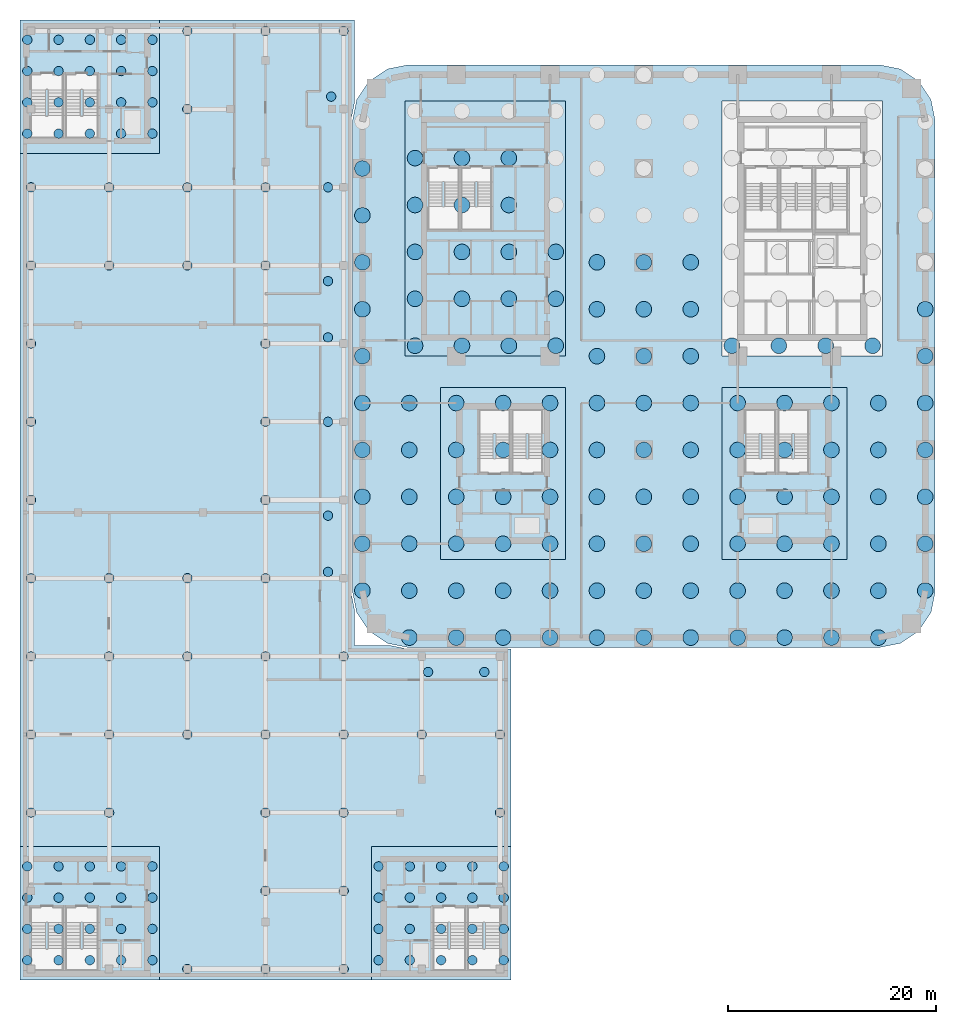
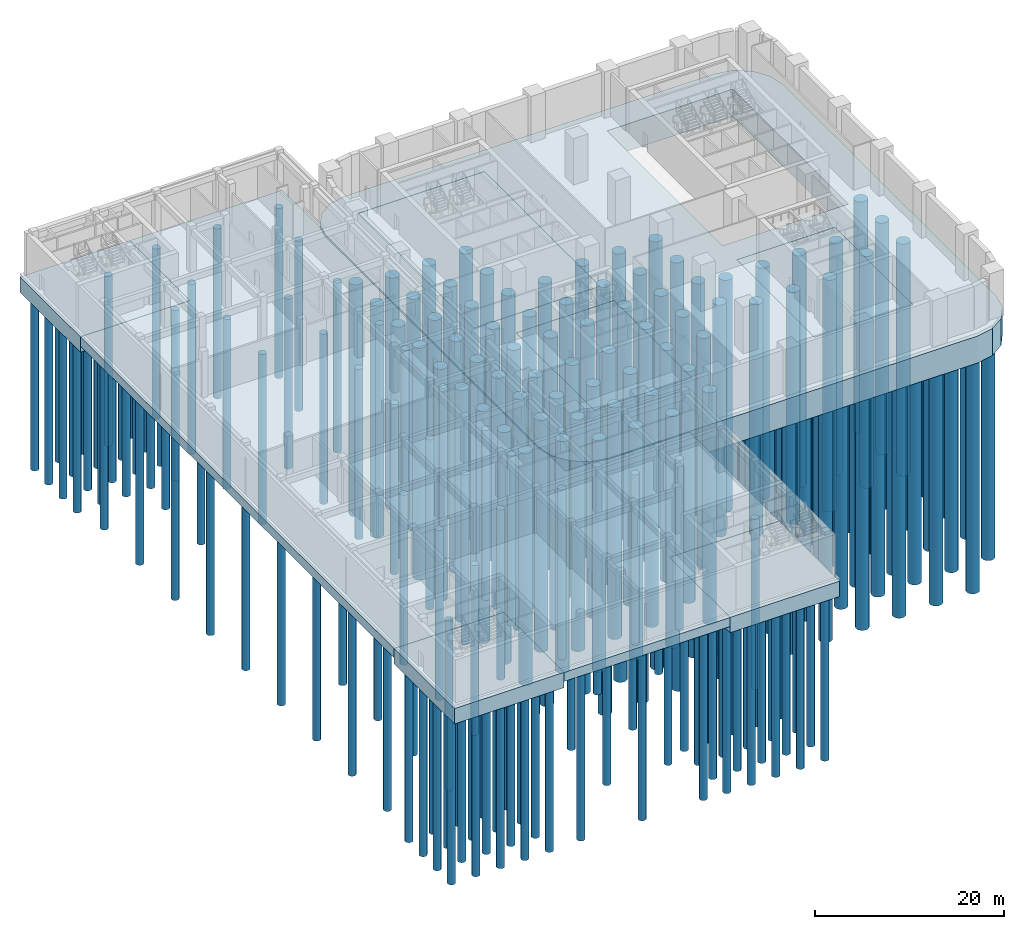
# One storey, part 1 of 26: 227 piles, 8 footings.
"""IFC4 building model written with IfcOpenShell, lengths in metres."""

from ifc_helpers import new_model, si_unit, direction, frame, origin, origin_2d, place, context, subcontext, project, spatial, polyline, circle, outline, extrude, material, layer, layer_set, type_object, element, save


model = new_model("IFC4")

# Units and contexts
model_context = context("Model", 3, precision=1e-05, world=origin(), true_north=direction((0.0, 1.0)))
body_context = subcontext(model_context, "Body", "Model", "MODEL_VIEW")
ifc_project = project(units=[si_unit("LENGTHUNIT", "METRE"), si_unit("AREAUNIT", "SQUARE_METRE"), si_unit("VOLUMEUNIT", "CUBIC_METRE"), si_unit("PLANEANGLEUNIT", "RADIAN"), si_unit("MASSUNIT", "GRAM", prefix="KILO")], contexts=[model_context])

# Site, building, storey
site_placement = place(None, origin())
site = spatial("IfcSite", under=ifc_project, at=site_placement, CompositionType="ELEMENT")
building_placement = place(site_placement, origin())
building = spatial("IfcBuilding", under=site, at=building_placement, Name="Tessera Arch", CompositionType="ELEMENT")
storey_placement = place(building_placement, frame((0.0, 0.0, -6.0)))
storey = spatial("IfcBuildingStorey", under=building, at=storey_placement, Name="B1", CompositionType="ELEMENT", Elevation=-6.0)

# Piles
ifc_material_1 = material(Name="Concrete C40/50", Category="concrete")
pile_type_1 = type_object("IfcPileType", Name="Bored pile 1500 Concrete C40/50", PredefinedType="BORED", material=ifc_material_1)
for number, where, z_axis, x_axis, name in (
    (1, (4.5, 0.0, -3.800048828125), (0.0, 0.0, -1.0), (1.0, 0.0, 0.0), "Bored pile T001"),
    (2, (9.0, 0.0, -3.800048828125), (0.0, 0.0, -1.0), (1.0, 0.0, 0.0), "Bored pile T002"),
    (3, (13.5, 0.0, -3.800048828125), (0.0, 0.0, -1.0), (1.0, 0.0, 0.0), "Bored pile T003"),
    (4, (18.0, 0.0, -3.800048828125), (0.0, 0.0, -1.0), (1.0, 0.0, 0.0), "Bored pile T004"),
    (5, (22.5, 0.0, -3.800048828125), (0.0, 0.0, -1.0), (1.0, 0.0, 0.0), "Bored pile T005"),
    (6, (27.0, 0.0, -3.800048828125), (0.0, 0.0, -1.0), (1.0, 0.0, 0.0), "Bored pile T006"),
    (7, (31.5, 0.0, -3.800048828125), (0.0, 0.0, -1.0), (1.0, 0.0, 0.0), "Bored pile T007"),
    (8, (36.0, 0.0, -3.800048828125), (0.0, 0.0, -1.0), (1.0, 0.0, 0.0), "Bored pile T008"),
    (9, (40.5, 0.0, -3.800048828125), (0.0, 0.0, -1.0), (1.0, 0.0, 0.0), "Bored pile T009"),
    (10, (45.0, 0.0, -3.800048828125), (0.0, 0.0, -1.0), (1.0, 0.0, 0.0), "Bored pile T010"),
    (11, (49.5, 0.0, -3.800048828125), (0.0, 0.0, -1.0), (1.0, 0.0, 0.0), "Bored pile T011"),
    (12, (0.0, 4.5, -3.800048828125), (0.0, 0.0, -1.0), (1.0, 0.0, 0.0), "Bored pile T012"),
    (13, (4.5, 4.5, -3.800048828125), (0.0, 0.0, -1.0), (1.0, 0.0, 0.0), "Bored pile T013"),
    (14, (9.0, 4.5, -3.800048828125), (0.0, 0.0, -1.0), (1.0, 0.0, 0.0), "Bored pile T014"),
    (15, (13.5, 4.5, -3.800048828125), (0.0, 0.0, -1.0), (1.0, 0.0, 0.0), "Bored pile T015"),
    (16, (18.0, 4.5, -3.800048828125), (0.0, 0.0, -1.0), (1.0, 0.0, 0.0), "Bored pile T016"),
    (17, (22.5, 4.5, -3.800048828125), (0.0, 0.0, -1.0), (1.0, 0.0, 0.0), "Bored pile T017"),
    (18, (27.0, 4.5, -3.800048828125), (0.0, 0.0, -1.0), (1.0, 0.0, 0.0), "Bored pile T018"),
    (19, (31.5, 4.5, -3.800048828125), (0.0, 0.0, -1.0), (1.0, 0.0, 0.0), "Bored pile T019"),
    (20, (36.0, 4.5, -3.800048828125), (0.0, 0.0, -1.0), (1.0, 0.0, 0.0), "Bored pile T020"),
    (21, (40.5, 4.5, -3.800048828125), (0.0, 0.0, -1.0), (1.0, 0.0, 0.0), "Bored pile T021"),
    (22, (45.0, 4.5, -3.800048828125), (0.0, 0.0, -1.0), (1.0, 0.0, 0.0), "Bored pile T022"),
    (23, (49.5, 4.5, -3.800048828125), (0.0, 0.0, -1.0), (1.0, 0.0, 0.0), "Bored pile T023"),
    (24, (54.0, 4.5, -3.800048828125), (0.0, 0.0, -1.0), (1.0, 0.0, 0.0), "Bored pile T024"),
    (25, (0.0, 9.0, -3.800048828125), (0.0, 0.0, -1.0), (1.0, 0.0, 0.0), "Bored pile T025"),
    (26, (4.5, 9.0, -3.800048828125), (0.0, 0.0, -1.0), (1.0, 0.0, 0.0), "Bored pile T026"),
    (27, (22.5, 9.0, -3.800048828125), (0.0, 0.0, -1.0), (1.0, 0.0, 0.0), "Bored pile T027"),
    (28, (27.0, 9.0, -3.800048828125), (0.0, 0.0, -1.0), (1.0, 0.0, 0.0), "Bored pile T028"),
    (29, (31.5, 9.0, -3.800048828125), (0.0, 0.0, -1.0), (1.0, 0.0, 0.0), "Bored pile T029"),
    (30, (49.5, 9.0, -3.800048828125), (0.0, 0.0, -1.0), (1.0, 0.0, 0.0), "Bored pile T030"),
    (31, (54.0, 9.0, -3.800048828125), (0.0, 0.0, -1.0), (1.0, 0.0, 0.0), "Bored pile T031"),
    (32, (0.0, 13.5, -3.800048828125), (0.0, 0.0, -1.0), (1.0, 0.0, 0.0), "Bored pile T032"),
    (33, (4.5, 13.5, -3.800048828125), (0.0, 0.0, -1.0), (1.0, 0.0, 0.0), "Bored pile T033"),
    (34, (22.5, 13.5, -3.800048828125), (0.0, 0.0, -1.0), (1.0, 0.0, 0.0), "Bored pile T034"),
    (35, (27.0, 13.5, -3.800048828125), (0.0, 0.0, -1.0), (1.0, 0.0, 0.0), "Bored pile T035"),
    (36, (31.5, 13.5, -3.800048828125), (0.0, 0.0, -1.0), (1.0, 0.0, 0.0), "Bored pile T036"),
    (37, (49.5, 13.5, -3.800048828125), (0.0, 0.0, -1.0), (1.0, 0.0, 0.0), "Bored pile T037"),
    (38, (54.0, 13.5, -3.800048828125), (0.0, 0.0, -1.0), (1.0, 0.0, 0.0), "Bored pile T038"),
    (39, (0.0, 18.0, -3.800048828125), (0.0, 0.0, -1.0), (1.0, 0.0, 0.0), "Bored pile T039"),
    (40, (4.5, 18.0, -3.800048828125), (0.0, 0.0, -1.0), (1.0, 0.0, 0.0), "Bored pile T040"),
    (41, (22.5, 18.0, -3.800048828125), (0.0, 0.0, -1.0), (1.0, 0.0, 0.0), "Bored pile T041"),
    (42, (27.0, 18.0, -3.800048828125), (0.0, 0.0, -1.0), (1.0, 0.0, 0.0), "Bored pile T042"),
    (43, (31.5, 18.0, -3.800048828125), (0.0, 0.0, -1.0), (1.0, 0.0, 0.0), "Bored pile T043"),
    (44, (49.5, 18.0, -3.800048828125), (0.0, 0.0, -1.0), (1.0, 0.0, 0.0), "Bored pile T044"),
    (45, (54.0, 18.0, -3.800048828125), (0.0, 0.0, -1.0), (1.0, 0.0, 0.0), "Bored pile T045"),
    (46, (0.0, 22.5, -3.800048828125), (0.0, 0.0, -1.0), (1.0, 0.0, 0.0), "Bored pile T046"),
    (47, (4.5, 22.5, -3.800048828125), (0.0, 0.0, -1.0), (1.0, 0.0, 0.0), "Bored pile T047"),
    (48, (22.5, 22.5, -3.800048828125), (0.0, 0.0, -1.0), (1.0, 0.0, 0.0), "Bored pile T048"),
    (49, (27.0, 22.5, -3.800048828125), (0.0, 0.0, -1.0), (1.0, 0.0, 0.0), "Bored pile T049"),
    (50, (31.5, 22.5, -3.800048828125), (0.0, 0.0, -1.0), (1.0, 0.0, 0.0), "Bored pile T050"),
    (51, (49.5, 22.5, -3.800048828125), (0.0, 0.0, -1.0), (1.0, 0.0, 0.0), "Bored pile T051"),
    (52, (54.0, 22.5, -3.800048828125), (0.0, 0.0, -1.0), (1.0, 0.0, 0.0), "Bored pile T052"),
    (53, (0.0, 27.0, -3.800048828125), (0.0, 0.0, -1.0), (1.0, 0.0, 0.0), "Bored pile T053"),
    (54, (22.5, 27.0, -3.800048828125), (0.0, 0.0, -1.0), (1.0, 0.0, 0.0), "Bored pile T054"),
    (55, (27.0, 27.0, -3.800048828125), (0.0, 0.0, -1.0), (1.0, 0.0, 0.0), "Bored pile T055"),
    (56, (31.5, 27.0, -3.800048828125), (0.0, 0.0, -1.0), (1.0, 0.0, 0.0), "Bored pile T056"),
    (57, (54.0, 27.0, -3.800048828125), (0.0, 0.0, -1.0), (1.0, 0.0, 0.0), "Bored pile T057"),
    (58, (0.0, 31.5, -3.800048828125), (0.0, 0.0, -1.0), (1.0, 0.0, 0.0), "Bored pile T058"),
    (59, (22.5, 31.5, -3.800048828125), (0.0, 0.0, -1.0), (1.0, 0.0, 0.0), "Bored pile T059"),
    (60, (27.0, 31.5, -3.800048828125), (0.0, 0.0, -1.0), (1.0, 0.0, 0.0), "Bored pile T060"),
    (61, (31.5, 31.5, -3.800048828125), (0.0, 0.0, -1.0), (1.0, 0.0, 0.0), "Bored pile T061"),
    (62, (54.0, 31.5, -3.800048828125), (0.0, 0.0, -1.0), (1.0, 0.0, 0.0), "Bored pile T062"),
    (63, (0.0, 36.0, -3.800048828125), (0.0, 0.0, -1.0), (1.0, 0.0, 0.0), "Bored pile T063"),
    (64, (22.5, 36.0, -3.800048828125), (0.0, 0.0, -1.0), (1.0, 0.0, 0.0), "Bored pile T064"),
    (65, (27.0, 36.0, -3.800048828125), (0.0, 0.0, -1.0), (1.0, 0.0, 0.0), "Bored pile T065"),
    (66, (31.5, 36.0, -3.800048828125), (0.0, 0.0, -1.0), (1.0, 0.0, 0.0), "Bored pile T066"),
    (67, (0.0, 40.5, -3.800048828125), (0.0, 0.0, -1.0), (1.0, 0.0, 0.0), "Bored pile T068"),
    (68, (0.0, 45.0, -3.800048828125), (0.0, 0.0, -1.0), (1.0, 0.0, 0.0), "Bored pile T073"),
    (69, (35.449951171875, 28.0, -5.300048828125), (0.0, 0.0, -1.0), (1.0, 0.0, 0.0), "Bored pile C1-01"),
    (70, (39.949951171875, 28.0, -5.300048828125), (0.0, 0.0, -1.0), (1.0, 0.0, 0.0), "Bored pile C1-02"),
    (71, (44.449951171875, 28.0, -5.300048828125), (0.0, 0.0, -1.0), (1.0, 0.0, 0.0), "Bored pile C1-03"),
    (72, (48.949951171875, 28.0, -5.300048828125), (0.0, 0.0, -1.0), (1.0, 0.0, 0.0), "Bored pile C1-04"),
    (73, (5.050048828125, 28.0, -5.300048828125), (0.0, 0.0, -1.0), (1.0, 0.0, 0.0), "Bored pile C2-01"),
    (74, (9.550048828125, 28.0, -5.300048828125), (0.0, 0.0, -1.0), (1.0, 0.0, 0.0), "Bored pile C2-02"),
    (75, (14.050048828125, 28.0, -5.300048828125), (0.0, 0.0, -1.0), (1.0, 0.0, 0.0), "Bored pile C2-03"),
    (76, (18.550048828125, 28.0, -5.300048828125), (0.0, 0.0, -1.0), (1.0, 0.0, 0.0), "Bored pile C2-04"),
    (77, (5.050048828125, 32.5, -5.300048828125), (0.0, 0.0, -1.0), (1.0, 0.0, 0.0), "Bored pile C2-05"),
    (78, (9.550048828125, 32.5, -5.300048828125), (0.0, 0.0, -1.0), (1.0, 0.0, 0.0), "Bored pile C2-06"),
    (79, (14.050048828125, 32.5, -5.300048828125), (0.0, 0.0, -1.0), (1.0, 0.0, 0.0), "Bored pile C2-07"),
    (80, (18.550048828125, 32.5, -5.300048828125), (0.0, 0.0, -1.0), (1.0, 0.0, 0.0), "Bored pile C2-08"),
    (81, (5.050048828125, 37.0, -5.300048828125), (0.0, 0.0, -1.0), (1.0, 0.0, 0.0), "Bored pile C2-09"),
    (82, (9.550048828125, 37.0, -5.300048828125), (0.0, 0.0, -1.0), (1.0, 0.0, 0.0), "Bored pile C2-10"),
    (83, (14.050048828125, 37.0, -5.300048828125), (0.0, 0.0, -1.0), (1.0, 0.0, 0.0), "Bored pile C2-11"),
    (84, (18.550048828125, 37.0, -5.300048828125), (0.0, 0.0, -1.0), (1.0, 0.0, 0.0), "Bored pile C2-12"),
    (85, (5.050048828125, 41.5, -5.300048828125), (0.0, 0.0, -1.0), (1.0, 0.0, 0.0), "Bored pile C2-13"),
    (86, (9.550048828125, 41.5, -5.300048828125), (0.0, 0.0, -1.0), (1.0, 0.0, 0.0), "Bored pile C2-14"),
    (87, (14.050048828125, 41.5, -5.300048828125), (0.0, 0.0, -1.0), (1.0, 0.0, 0.0), "Bored pile C2-15"),
    (88, (5.050048828125, 46.0, -5.300048828125), (0.0, 0.0, -1.0), (1.0, 0.0, 0.0), "Bored pile C2-17"),
    (89, (9.550048828125, 46.0, -5.300048828125), (0.0, 0.0, -1.0), (1.0, 0.0, 0.0), "Bored pile C2-18"),
    (90, (14.050048828125, 46.0, -5.300048828125), (0.0, 0.0, -1.0), (1.0, 0.0, 0.0), "Bored pile C2-19"),
    (91, (36.0, 9.0, -5.300048828125), (0.0, 0.0, -1.0), (1.0, 0.0, 0.0), "Bored pile C3-01"),
    (92, (40.5, 9.0, -5.300048828125), (0.0, 0.0, -1.0), (1.0, 0.0, 0.0), "Bored pile C3-02"),
    (93, (45.0, 9.0, -5.300048828125), (0.0, 0.0, -1.0), (1.0, 0.0, 0.0), "Bored pile C3-03"),
    (94, (36.0, 13.5, -5.300048828125), (0.0, 0.0, -1.0), (1.0, 0.0, 0.0), "Bored pile C3-04"),
    (95, (40.5, 13.5, -5.300048828125), (0.0, 0.0, -1.0), (1.0, 0.0, 0.0), "Bored pile C3-05"),
    (96, (45.0, 13.5, -5.300048828125), (0.0, 0.0, -1.0), (1.0, 0.0, 0.0), "Bored pile C3-06"),
    (97, (36.0, 18.0, -5.300048828125), (0.0, 0.0, -1.0), (1.0, 0.0, 0.0), "Bored pile C3-07"),
    (98, (40.5, 18.0, -5.300048828125), (0.0, 0.0, -1.0), (1.0, 0.0, 0.0), "Bored pile C3-08"),
    (99, (45.0, 18.0, -5.300048828125), (0.0, 0.0, -1.0), (1.0, 0.0, 0.0), "Bored pile C3-09"),
    (100, (36.0, 22.5, -5.300048828125), (0.0, 0.0, -1.0), (1.0, 0.0, 0.0), "Bored pile C3-10"),
    (101, (40.5, 22.5, -5.300048828125), (0.0, 0.0, -1.0), (1.0, 0.0, 0.0), "Bored pile C3-11"),
    (102, (45.0, 22.5, -5.300048828125), (0.0, 0.0, -1.0), (1.0, 0.0, 0.0), "Bored pile C3-12"),
    (103, (9.0, 9.0, -5.300048828125), (0.0, 0.0, -1.0), (1.0, 0.0, 0.0), "Bored pile C4-01"),
    (104, (13.5, 9.0, -5.300048828125), (0.0, 0.0, -1.0), (1.0, 0.0, 0.0), "Bored pile C4-02"),
    (105, (18.0, 9.0, -5.300048828125), (0.0, 0.0, -1.0), (1.0, 0.0, 0.0), "Bored pile C4-03"),
    (106, (9.0, 13.5, -5.300048828125), (0.0, 0.0, -1.0), (1.0, 0.0, 0.0), "Bored pile C4-04"),
    (107, (13.5, 13.5, -5.300048828125), (0.0, 0.0, -1.0), (1.0, 0.0, 0.0), "Bored pile C4-05"),
    (108, (18.0, 13.5, -5.300048828125), (0.0, 0.0, -1.0), (1.0, 0.0, 0.0), "Bored pile C4-06"),
    (109, (9.0, 18.0, -5.300048828125), (0.0, 0.0, -1.0), (1.0, 0.0, 0.0), "Bored pile C4-07"),
    (110, (13.5, 18.0, -5.300048828125), (0.0, 0.0, -1.0), (1.0, 0.0, 0.0), "Bored pile C4-08"),
    (111, (18.0, 18.0, -5.300048828125), (0.0, 0.0, -1.0), (1.0, 0.0, 0.0), "Bored pile C4-09"),
    (112, (9.0, 22.5, -5.300048828125), (0.0, 0.0, -1.0), (1.0, 0.0, 0.0), "Bored pile C4-10"),
    (113, (13.5, 22.5, -5.300048828125), (0.0, 0.0, -1.0), (1.0, 0.0, 0.0), "Bored pile C4-11"),
    (114, (18.0, 22.5, -5.300048828125), (0.0, 0.0, -1.0), (1.0, 0.0, 0.0), "Bored pile C4-12"),
):
    element("IfcPile", number, at=place(storey_placement, frame(where, z_axis=z_axis, x_axis=x_axis)), inside=storey, type_object=pile_type_1, Name=name, PredefinedType="BORED", context=body_context, shape_type="SweptSolid", body=[
        extrude(circle(Radius=0.75, at=origin_2d()), origin(), (0.0, 0.0, 1.0), 30.0),
    ])

# Footings
ifc_material_2 = material(Name="Concrete C50/60", Category="concrete")
ifc_layer_1 = layer(ifc_material_2, 5.0)
ifc_layer_set_1 = layer_set([ifc_layer_1], Name="Core pad 5000 Concrete C50/60")
footing_type_1 = type_object("IfcFootingType", Name="Core pad 5000 Concrete C50/60", PredefinedType="PILE_CAP", material=ifc_layer_set_1)
footing_1_placement = place(storey_placement, frame((0.0, 0.0, -5.39990234375)))
element("IfcFooting", 115, at=footing_1_placement, inside=storey, type_object=footing_type_1, Name="Core pad C2", PredefinedType="PILE_CAP", context=body_context, shape_type="SweptSolid", body=[
    extrude(outline(polyline([(4.10009765625, 27.0), (4.10009765625, 51.5), (19.5, 51.5), (19.5, 27.0), (4.10009765625, 27.0)])), origin(), (0.0, 0.0, 1.0), 5.0),
])
footing_2_placement = place(storey_placement, frame((0.0, 0.0, -5.39990234375)))
element("IfcFooting", 116, at=footing_2_placement, inside=storey, type_object=footing_type_1, Name="Core pad C3", PredefinedType="PILE_CAP", context=body_context, shape_type="SweptSolid", body=[
    extrude(outline(polyline([(34.5, 7.5), (34.5, 24.0), (46.5, 24.0), (46.5, 7.5), (34.5, 7.5)])), origin(), (0.0, 0.0, 1.0), 5.0),
])
footing_3_placement = place(storey_placement, frame((0.0, 0.0, -5.39990234375)))
element("IfcFooting", 117, at=footing_3_placement, inside=storey, type_object=footing_type_1, Name="Core pad C4", PredefinedType="PILE_CAP", context=body_context, shape_type="SweptSolid", body=[
    extrude(outline(polyline([(7.5, 7.5), (7.5, 24.0), (19.5, 24.0), (19.5, 7.5), (7.5, 7.5)])), origin(), (0.0, 0.0, 1.0), 5.0),
])

# Piles
ifc_material_3 = material(Name="Concrete C40/50", Category="concrete")
pile_type_2 = type_object("IfcPileType", Name="Museum bored pile 900 Concrete C40/50", PredefinedType="BORED", material=ifc_material_3)
for number, where, z_axis, x_axis, name in (
    (118, (-16.800048828125, -31.800048828125, -1.5), (0.0, 0.0, -1.0), (1.0, 0.0, 0.0), "Museum bored pile M001"),
    (119, (-9.300048828125, -31.800048828125, -1.5), (0.0, 0.0, -1.0), (1.0, 0.0, 0.0), "Museum bored pile M002"),
    (120, (-1.800048828125, -31.800048828125, -1.5), (0.0, 0.0, -1.0), (1.0, 0.0, 0.0), "Museum bored pile M003"),
    (121, (-9.300048828125, -24.300048828125, -1.5), (0.0, 0.0, -1.0), (1.0, 0.0, 0.0), "Museum bored pile M004"),
    (122, (-1.800048828125, -24.300048828125, -1.5), (0.0, 0.0, -1.0), (1.0, 0.0, 0.0), "Museum bored pile M005"),
    (123, (-31.800048828125, -16.800048828125, -1.5), (0.0, 0.0, -1.0), (1.0, 0.0, 0.0), "Museum bored pile M006"),
    (124, (-24.300048828125, -16.800048828125, -1.5), (0.0, 0.0, -1.0), (1.0, 0.0, 0.0), "Museum bored pile M007"),
    (125, (-9.300048828125, -16.800048828125, -1.5), (0.0, 0.0, -1.0), (1.0, 0.0, 0.0), "Museum bored pile M008"),
    (126, (-1.800048828125, -16.800048828125, -1.5), (0.0, 0.0, -1.0), (1.0, 0.0, 0.0), "Museum bored pile M009"),
    (127, (13.199951171875, -16.800048828125, -1.5), (0.0, 0.0, -1.0), (1.0, 0.0, 0.0), "Museum bored pile M010"),
    (128, (-31.800048828125, -9.300048828125, -1.5), (0.0, 0.0, -1.0), (1.0, 0.0, 0.0), "Museum bored pile M011"),
    (129, (-24.300048828125, -9.300048828125, -1.5), (0.0, 0.0, -1.0), (1.0, 0.0, 0.0), "Museum bored pile M012"),
    (130, (-16.800048828125, -9.300048828125, -1.5), (0.0, 0.0, -1.0), (1.0, 0.0, 0.0), "Museum bored pile M013"),
    (131, (-9.300048828125, -9.300048828125, -1.5), (0.0, 0.0, -1.0), (1.0, 0.0, 0.0), "Museum bored pile M014"),
    (132, (-1.800048828125, -9.300048828125, -1.5), (0.0, 0.0, -1.0), (1.0, 0.0, 0.0), "Museum bored pile M015"),
    (133, (5.699951171875, -9.300048828125, -1.5), (0.0, 0.0, -1.0), (1.0, 0.0, 0.0), "Museum bored pile M016"),
    (134, (13.199951171875, -9.300048828125, -1.5), (0.0, 0.0, -1.0), (1.0, 0.0, 0.0), "Museum bored pile M017"),
    (135, (6.300048828125, -3.300048828125, -1.5), (0.0, 0.0, -1.0), (1.0, 0.0, 0.0), "Museum bored pile M018"),
    (136, (11.699951171875, -3.300048828125, -1.5), (0.0, 0.0, -1.0), (1.0, 0.0, 0.0), "Museum bored pile M019"),
    (137, (-31.800048828125, -1.800048828125, -1.5), (0.0, 0.0, -1.0), (1.0, 0.0, 0.0), "Museum bored pile M020"),
    (138, (-24.300048828125, -1.800048828125, -1.5), (0.0, 0.0, -1.0), (1.0, 0.0, 0.0), "Museum bored pile M021"),
    (139, (-16.800048828125, -1.800048828125, -1.5), (0.0, 0.0, -1.0), (1.0, 0.0, 0.0), "Museum bored pile M022"),
    (140, (-9.300048828125, -1.800048828125, -1.5), (0.0, 0.0, -1.0), (1.0, 0.0, 0.0), "Museum bored pile M023"),
    (141, (-1.800048828125, -1.800048828125, -1.5), (0.0, 0.0, -1.0), (1.0, 0.0, 0.0), "Museum bored pile M024"),
    (142, (-31.800048828125, 5.699951171875, -1.5), (0.0, 0.0, -1.0), (1.0, 0.0, 0.0), "Museum bored pile M025"),
    (143, (-24.300048828125, 5.699951171875, -1.5), (0.0, 0.0, -1.0), (1.0, 0.0, 0.0), "Museum bored pile M026"),
    (144, (-16.800048828125, 5.699951171875, -1.5), (0.0, 0.0, -1.0), (1.0, 0.0, 0.0), "Museum bored pile M027"),
    (145, (-9.300048828125, 5.699951171875, -1.5), (0.0, 0.0, -1.0), (1.0, 0.0, 0.0), "Museum bored pile M028"),
    (146, (-3.300048828125, 6.300048828125, -1.5), (0.0, 0.0, -1.0), (1.0, 0.0, 0.0), "Museum bored pile M029"),
    (147, (-3.300048828125, 11.699951171875, -1.5), (0.0, 0.0, -1.0), (1.0, 0.0, 0.0), "Museum bored pile M030"),
    (148, (-31.800048828125, 13.199951171875, -1.5), (0.0, 0.0, -1.0), (1.0, 0.0, 0.0), "Museum bored pile M031"),
    (149, (-9.300048828125, 13.199951171875, -1.5), (0.0, 0.0, -1.0), (1.0, 0.0, 0.0), "Museum bored pile M032"),
    (150, (-31.800048828125, 20.699951171875, -1.5), (0.0, 0.0, -1.0), (1.0, 0.0, 0.0), "Museum bored pile M033"),
    (151, (-9.300048828125, 20.699951171875, -1.5), (0.0, 0.0, -1.0), (1.0, 0.0, 0.0), "Museum bored pile M034"),
    (152, (-3.300048828125, 20.699951171875, -1.5), (0.0, 0.0, -1.0), (1.0, 0.0, 0.0), "Museum bored pile M035"),
    (153, (-31.800048828125, 28.199951171875, -1.5), (0.0, 0.0, -1.0), (1.0, 0.0, 0.0), "Museum bored pile M036"),
    (154, (-9.300048828125, 28.199951171875, -1.5), (0.0, 0.0, -1.0), (1.0, 0.0, 0.0), "Museum bored pile M037"),
    (155, (-3.300048828125, 28.800048828125, -1.5), (0.0, 0.0, -1.0), (1.0, 0.0, 0.0), "Museum bored pile M038"),
    (156, (-3.300048828125, 34.199951171875, -1.5), (0.0, 0.0, -1.0), (1.0, 0.0, 0.0), "Museum bored pile M039"),
    (157, (-31.800048828125, 35.699951171875, -1.5), (0.0, 0.0, -1.0), (1.0, 0.0, 0.0), "Museum bored pile M040"),
    (158, (-24.300048828125, 35.699951171875, -1.5), (0.0, 0.0, -1.0), (1.0, 0.0, 0.0), "Museum bored pile M041"),
    (159, (-16.800048828125, 35.699951171875, -1.5), (0.0, 0.0, -1.0), (1.0, 0.0, 0.0), "Museum bored pile M042"),
    (160, (-9.300048828125, 35.699951171875, -1.5), (0.0, 0.0, -1.0), (1.0, 0.0, 0.0), "Museum bored pile M043"),
    (161, (-31.800048828125, 43.199951171875, -1.5), (0.0, 0.0, -1.0), (1.0, 0.0, 0.0), "Museum bored pile M044"),
    (162, (-24.300048828125, 43.199951171875, -1.5), (0.0, 0.0, -1.0), (1.0, 0.0, 0.0), "Museum bored pile M045"),
    (163, (-16.800048828125, 43.199951171875, -1.5), (0.0, 0.0, -1.0), (1.0, 0.0, 0.0), "Museum bored pile M046"),
    (164, (-9.300048828125, 43.199951171875, -1.5), (0.0, 0.0, -1.0), (1.0, 0.0, 0.0), "Museum bored pile M047"),
    (165, (-3.300048828125, 43.199951171875, -1.5), (0.0, 0.0, -1.0), (1.0, 0.0, 0.0), "Museum bored pile M048"),
    (166, (-16.800048828125, 50.699951171875, -1.5), (0.0, 0.0, -1.0), (1.0, 0.0, 0.0), "Museum bored pile M049"),
    (167, (-3.0, 51.89990234375, -1.5), (0.0, 0.0, -1.0), (1.0, 0.0, 0.0), "Museum bored pile M050"),
    (168, (-16.800048828125, 58.199951171875, -1.5), (0.0, 0.0, -1.0), (1.0, 0.0, 0.0), "Museum bored pile M051"),
    (169, (-9.300048828125, 58.199951171875, -1.5), (0.0, 0.0, -1.0), (1.0, 0.0, 0.0), "Museum bored pile M052"),
    (170, (-1.800048828125, 58.199951171875, -1.5), (0.0, 0.0, -1.0), (1.0, 0.0, 0.0), "Museum bored pile M053"),
    (171, (-32.14990234375, 48.35009765625, -2.300048828125), (0.0, 0.0, -1.0), (1.0, 0.0, 0.0), "Museum bored pile M1-01"),
    (172, (-29.14990234375, 48.35009765625, -2.300048828125), (0.0, 0.0, -1.0), (1.0, 0.0, 0.0), "Museum bored pile M1-02"),
    (173, (-26.14990234375, 48.35009765625, -2.300048828125), (0.0, 0.0, -1.0), (1.0, 0.0, 0.0), "Museum bored pile M1-03"),
    (174, (-23.14990234375, 48.35009765625, -2.300048828125), (0.0, 0.0, -1.0), (1.0, 0.0, 0.0), "Museum bored pile M1-04"),
    (175, (-20.14990234375, 48.35009765625, -2.300048828125), (0.0, 0.0, -1.0), (1.0, 0.0, 0.0), "Museum bored pile M1-05"),
    (176, (-32.14990234375, 51.35009765625, -2.300048828125), (0.0, 0.0, -1.0), (1.0, 0.0, 0.0), "Museum bored pile M1-06"),
    (177, (-29.14990234375, 51.35009765625, -2.300048828125), (0.0, 0.0, -1.0), (1.0, 0.0, 0.0), "Museum bored pile M1-07"),
    (178, (-26.14990234375, 51.35009765625, -2.300048828125), (0.0, 0.0, -1.0), (1.0, 0.0, 0.0), "Museum bored pile M1-08"),
    (179, (-23.14990234375, 51.35009765625, -2.300048828125), (0.0, 0.0, -1.0), (1.0, 0.0, 0.0), "Museum bored pile M1-09"),
    (180, (-20.14990234375, 51.35009765625, -2.300048828125), (0.0, 0.0, -1.0), (1.0, 0.0, 0.0), "Museum bored pile M1-10"),
    (181, (-32.14990234375, 54.35009765625, -2.300048828125), (0.0, 0.0, -1.0), (1.0, 0.0, 0.0), "Museum bored pile M1-11"),
    (182, (-29.14990234375, 54.35009765625, -2.300048828125), (0.0, 0.0, -1.0), (1.0, 0.0, 0.0), "Museum bored pile M1-12"),
    (183, (-26.14990234375, 54.35009765625, -2.300048828125), (0.0, 0.0, -1.0), (1.0, 0.0, 0.0), "Museum bored pile M1-13"),
    (184, (-23.14990234375, 54.35009765625, -2.300048828125), (0.0, 0.0, -1.0), (1.0, 0.0, 0.0), "Museum bored pile M1-14"),
    (185, (-20.14990234375, 54.35009765625, -2.300048828125), (0.0, 0.0, -1.0), (1.0, 0.0, 0.0), "Museum bored pile M1-15"),
    (186, (-32.14990234375, 57.35009765625, -2.300048828125), (0.0, 0.0, -1.0), (1.0, 0.0, 0.0), "Museum bored pile M1-16"),
    (187, (-29.14990234375, 57.35009765625, -2.300048828125), (0.0, 0.0, -1.0), (1.0, 0.0, 0.0), "Museum bored pile M1-17"),
    (188, (-26.14990234375, 57.35009765625, -2.300048828125), (0.0, 0.0, -1.0), (1.0, 0.0, 0.0), "Museum bored pile M1-18"),
    (189, (-23.14990234375, 57.35009765625, -2.300048828125), (0.0, 0.0, -1.0), (1.0, 0.0, 0.0), "Museum bored pile M1-19"),
    (190, (-20.14990234375, 57.35009765625, -2.300048828125), (0.0, 0.0, -1.0), (1.0, 0.0, 0.0), "Museum bored pile M1-20"),
    (191, (-32.14990234375, -30.949951171875, -2.300048828125), (0.0, 0.0, -1.0), (1.0, 0.0, 0.0), "Museum bored pile M2-01"),
    (192, (-29.14990234375, -30.949951171875, -2.300048828125), (0.0, 0.0, -1.0), (1.0, 0.0, 0.0), "Museum bored pile M2-02"),
    (193, (-26.14990234375, -30.949951171875, -2.300048828125), (0.0, 0.0, -1.0), (1.0, 0.0, 0.0), "Museum bored pile M2-03"),
    (194, (-23.14990234375, -30.949951171875, -2.300048828125), (0.0, 0.0, -1.0), (1.0, 0.0, 0.0), "Museum bored pile M2-04"),
    (195, (-20.14990234375, -30.949951171875, -2.300048828125), (0.0, 0.0, -1.0), (1.0, 0.0, 0.0), "Museum bored pile M2-05"),
    (196, (-32.14990234375, -27.949951171875, -2.300048828125), (0.0, 0.0, -1.0), (1.0, 0.0, 0.0), "Museum bored pile M2-06"),
    (197, (-29.14990234375, -27.949951171875, -2.300048828125), (0.0, 0.0, -1.0), (1.0, 0.0, 0.0), "Museum bored pile M2-07"),
    (198, (-26.14990234375, -27.949951171875, -2.300048828125), (0.0, 0.0, -1.0), (1.0, 0.0, 0.0), "Museum bored pile M2-08"),
    (199, (-23.14990234375, -27.949951171875, -2.300048828125), (0.0, 0.0, -1.0), (1.0, 0.0, 0.0), "Museum bored pile M2-09"),
    (200, (-20.14990234375, -27.949951171875, -2.300048828125), (0.0, 0.0, -1.0), (1.0, 0.0, 0.0), "Museum bored pile M2-10"),
    (201, (-32.14990234375, -24.949951171875, -2.300048828125), (0.0, 0.0, -1.0), (1.0, 0.0, 0.0), "Museum bored pile M2-11"),
    (202, (-29.14990234375, -24.949951171875, -2.300048828125), (0.0, 0.0, -1.0), (1.0, 0.0, 0.0), "Museum bored pile M2-12"),
    (203, (-26.14990234375, -24.949951171875, -2.300048828125), (0.0, 0.0, -1.0), (1.0, 0.0, 0.0), "Museum bored pile M2-13"),
    (204, (-23.14990234375, -24.949951171875, -2.300048828125), (0.0, 0.0, -1.0), (1.0, 0.0, 0.0), "Museum bored pile M2-14"),
    (205, (-20.14990234375, -24.949951171875, -2.300048828125), (0.0, 0.0, -1.0), (1.0, 0.0, 0.0), "Museum bored pile M2-15"),
    (206, (-32.14990234375, -21.949951171875, -2.300048828125), (0.0, 0.0, -1.0), (1.0, 0.0, 0.0), "Museum bored pile M2-16"),
    (207, (-29.14990234375, -21.949951171875, -2.300048828125), (0.0, 0.0, -1.0), (1.0, 0.0, 0.0), "Museum bored pile M2-17"),
    (208, (-26.14990234375, -21.949951171875, -2.300048828125), (0.0, 0.0, -1.0), (1.0, 0.0, 0.0), "Museum bored pile M2-18"),
    (209, (-23.14990234375, -21.949951171875, -2.300048828125), (0.0, 0.0, -1.0), (1.0, 0.0, 0.0), "Museum bored pile M2-19"),
    (210, (-20.14990234375, -21.949951171875, -2.300048828125), (0.0, 0.0, -1.0), (1.0, 0.0, 0.0), "Museum bored pile M2-20"),
    (211, (1.550048828125, -30.949951171875, -2.300048828125), (0.0, 0.0, -1.0), (1.0, 0.0, 0.0), "Museum bored pile M3-01"),
    (212, (4.550048828125, -30.949951171875, -2.300048828125), (0.0, 0.0, -1.0), (1.0, 0.0, 0.0), "Museum bored pile M3-02"),
    (213, (7.550048828125, -30.949951171875, -2.300048828125), (0.0, 0.0, -1.0), (1.0, 0.0, 0.0), "Museum bored pile M3-03"),
    (214, (10.550048828125, -30.949951171875, -2.300048828125), (0.0, 0.0, -1.0), (1.0, 0.0, 0.0), "Museum bored pile M3-04"),
    (215, (13.550048828125, -30.949951171875, -2.300048828125), (0.0, 0.0, -1.0), (1.0, 0.0, 0.0), "Museum bored pile M3-05"),
    (216, (1.550048828125, -27.949951171875, -2.300048828125), (0.0, 0.0, -1.0), (1.0, 0.0, 0.0), "Museum bored pile M3-06"),
    (217, (4.550048828125, -27.949951171875, -2.300048828125), (0.0, 0.0, -1.0), (1.0, 0.0, 0.0), "Museum bored pile M3-07"),
    (218, (7.550048828125, -27.949951171875, -2.300048828125), (0.0, 0.0, -1.0), (1.0, 0.0, 0.0), "Museum bored pile M3-08"),
    (219, (10.550048828125, -27.949951171875, -2.300048828125), (0.0, 0.0, -1.0), (1.0, 0.0, 0.0), "Museum bored pile M3-09"),
    (220, (13.550048828125, -27.949951171875, -2.300048828125), (0.0, 0.0, -1.0), (1.0, 0.0, 0.0), "Museum bored pile M3-10"),
    (221, (1.550048828125, -24.949951171875, -2.300048828125), (0.0, 0.0, -1.0), (1.0, 0.0, 0.0), "Museum bored pile M3-11"),
    (222, (4.550048828125, -24.949951171875, -2.300048828125), (0.0, 0.0, -1.0), (1.0, 0.0, 0.0), "Museum bored pile M3-12"),
    (223, (7.550048828125, -24.949951171875, -2.300048828125), (0.0, 0.0, -1.0), (1.0, 0.0, 0.0), "Museum bored pile M3-13"),
    (224, (10.550048828125, -24.949951171875, -2.300048828125), (0.0, 0.0, -1.0), (1.0, 0.0, 0.0), "Museum bored pile M3-14"),
    (225, (13.550048828125, -24.949951171875, -2.300048828125), (0.0, 0.0, -1.0), (1.0, 0.0, 0.0), "Museum bored pile M3-15"),
    (226, (1.550048828125, -21.949951171875, -2.300048828125), (0.0, 0.0, -1.0), (1.0, 0.0, 0.0), "Museum bored pile M3-16"),
    (227, (4.550048828125, -21.949951171875, -2.300048828125), (0.0, 0.0, -1.0), (1.0, 0.0, 0.0), "Museum bored pile M3-17"),
    (228, (7.550048828125, -21.949951171875, -2.300048828125), (0.0, 0.0, -1.0), (1.0, 0.0, 0.0), "Museum bored pile M3-18"),
    (229, (10.550048828125, -21.949951171875, -2.300048828125), (0.0, 0.0, -1.0), (1.0, 0.0, 0.0), "Museum bored pile M3-19"),
    (230, (13.550048828125, -21.949951171875, -2.300048828125), (0.0, 0.0, -1.0), (1.0, 0.0, 0.0), "Museum bored pile M3-20"),
):
    element("IfcPile", number, at=place(storey_placement, frame(where, z_axis=z_axis, x_axis=x_axis)), inside=storey, type_object=pile_type_2, Name=name, PredefinedType="BORED", context=body_context, shape_type="SweptSolid", body=[
        extrude(circle(Radius=0.449951171875, at=origin_2d()), origin(), (0.0, 0.0, 1.0), 22.0),
    ])

# Footings
ifc_material_4 = material(Name="Concrete C50/60", Category="concrete")
ifc_layer_2 = layer(ifc_material_4, 2.0)
ifc_layer_set_2 = layer_set([ifc_layer_2], Name="Museum core pad 2000 Concrete C50/60")
footing_type_2 = type_object("IfcFootingType", Name="Museum core pad 2000 Concrete C50/60", PredefinedType="PILE_CAP", material=ifc_layer_set_2)
footing_4_placement = place(storey_placement, frame((0.0, 0.0, -2.39990234375)))
element("IfcFooting", 231, at=footing_4_placement, inside=storey, type_object=footing_type_2, Name="Museum core pad M1", PredefinedType="PILE_CAP", context=body_context, shape_type="SweptSolid", body=[
    extrude(outline(polyline([(-32.85009765625, 46.449951171875), (-32.85009765625, 59.25), (-19.449951171875, 59.25), (-19.449951171875, 46.449951171875), (-32.85009765625, 46.449951171875)])), origin(), (0.0, 0.0, 1.0), 2.0),
])
footing_5_placement = place(storey_placement, frame((0.0, 0.0, -2.39990234375)))
element("IfcFooting", 232, at=footing_5_placement, inside=storey, type_object=footing_type_2, Name="Museum core pad M2", PredefinedType="PILE_CAP", context=body_context, shape_type="SweptSolid", body=[
    extrude(outline(polyline([(-19.449951171875, -20.050048828125), (-19.449951171875, -32.85009765625), (-32.85009765625, -32.85009765625), (-32.85009765625, -20.050048828125), (-19.449951171875, -20.050048828125)])), origin(), (0.0, 0.0, 1.0), 2.0),
])
footing_6_placement = place(storey_placement, frame((0.0, 0.0, -2.39990234375)))
element("IfcFooting", 233, at=footing_6_placement, inside=storey, type_object=footing_type_2, Name="Museum core pad M3", PredefinedType="PILE_CAP", context=body_context, shape_type="SweptSolid", body=[
    extrude(outline(polyline([(0.85009765625, -20.050048828125), (14.25, -20.050048828125), (14.25, -32.85009765625), (0.85009765625, -32.85009765625), (0.85009765625, -20.050048828125)])), origin(), (0.0, 0.0, 1.0), 2.0),
])
ifc_material_5 = material(Name="Concrete C50/60", Category="concrete")
ifc_layer_3 = layer(ifc_material_5, 1.199951171875)
ifc_layer_set_3 = layer_set([ifc_layer_3], Name="Museum raft 1200 Concrete C50/60")
footing_type_3 = type_object("IfcFootingType", Name="Museum raft 1200 Concrete C50/60", PredefinedType="PILE_CAP", material=ifc_layer_set_3)
footing_7_placement = place(storey_placement, frame((0.0, 0.0, -1.60009765625)))
element("IfcFooting", 234, at=footing_7_placement, inside=storey, type_object=footing_type_3, Name="Museum raft", PredefinedType="PILE_CAP", context=body_context, shape_type="SweptSolid", body=[
    extrude(outline(polyline([(-0.75, 59.25), (-0.75, 51.367919921875), (-1.10009765625, 49.6083984375), (-1.10009765625, 4.3916015625), (-0.75, 2.632080078125), (-0.75, -0.75), (2.632080078125, -0.75), (4.3916015625, -1.10009765625), (14.25, -1.10009765625), (14.25, -20.050048828125), (0.85009765625, -20.050048828125), (0.85009765625, -32.85009765625), (-19.449951171875, -32.85009765625), (-19.449951171875, -20.050048828125), (-32.85009765625, -20.050048828125), (-32.85009765625, 46.449951171875), (-19.449951171875, 46.449951171875), (-19.449951171875, 59.25), (-0.75, 59.25)])), origin(), (0.0, 0.0, 1.0), 1.2001953125),
])
ifc_material_6 = material(Name="Concrete C50/60", Category="concrete")
ifc_layer_4 = layer(ifc_material_6, 3.5)
ifc_layer_set_4 = layer_set([ifc_layer_4], Name="Raft 3500 Concrete C50/60")
footing_type_4 = type_object("IfcFootingType", Name="Raft 3500 Concrete C50/60", PredefinedType="PILE_CAP", material=ifc_layer_set_4)
footing_8_placement = place(storey_placement, frame((0.0, 0.0, -3.89990234375)))
element("IfcFooting", 235, at=footing_8_placement, inside=storey, type_object=footing_type_4, Name="Tower raft", PredefinedType="PILE_CAP", context=body_context, shape_type="SweptSolid", body=[
    extrude(outline(polyline([(54.55224609375, 2.4072265625), (53.366943359375, 0.633056640625), (51.5927734375, -0.55224609375), (49.593505859375, -0.949951171875), (4.406494140625, -0.949951171875), (2.4072265625, -0.55224609375), (0.633056640625, 0.633056640625), (-0.55224609375, 2.4072265625), (-0.949951171875, 4.406494140625), (-0.949951171875, 49.593505859375), (-0.55224609375, 51.5927734375), (0.633056640625, 53.366943359375), (2.4072265625, 54.55224609375), (4.406494140625, 54.949951171875), (49.593505859375, 54.949951171875), (51.5927734375, 54.55224609375), (53.366943359375, 53.366943359375), (54.55224609375, 51.5927734375), (54.949951171875, 49.593505859375), (54.949951171875, 4.406494140625), (54.55224609375, 2.4072265625)]), holes=[polyline([(7.5, 24.0), (7.5, 7.5), (19.5, 7.5), (19.5, 24.0), (7.5, 24.0)]), polyline([(34.5, 24.0), (34.5, 7.5), (46.5, 7.5), (46.5, 24.0), (34.5, 24.0)]), polyline([(4.10009765625, 51.5), (4.10009765625, 27.0), (19.5, 27.0), (19.5, 51.5), (4.10009765625, 51.5)]), polyline([(34.5, 51.5), (34.5, 27.0), (49.89990234375, 27.0), (49.89990234375, 51.5), (34.5, 51.5)])]), origin(), (0.0, 0.0, 1.0), 3.5),
])

save(model, "model.ifc")
